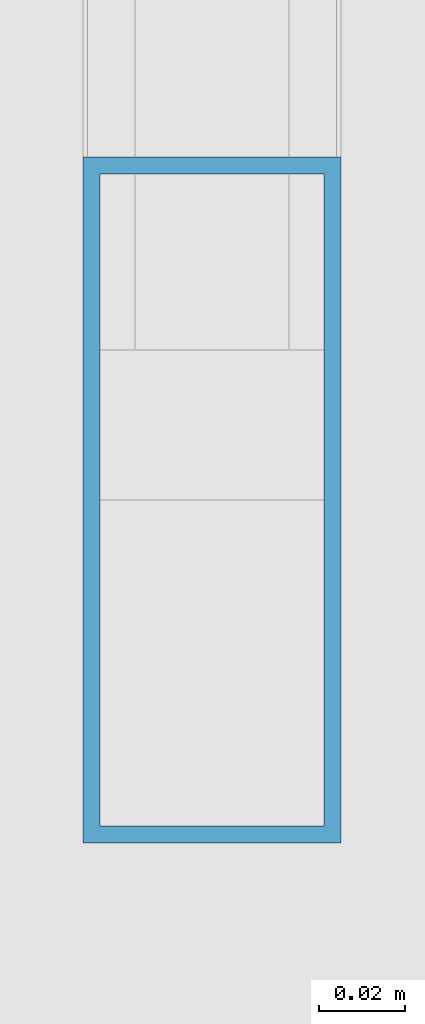
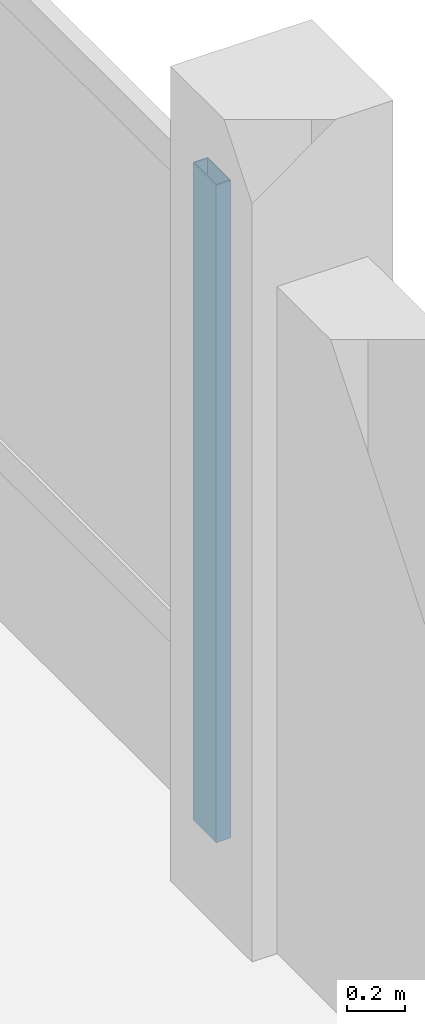
# One storey, part 7 of 84: 1 member, 1 element without a shape of its own.
"""IFC4 building model written with IfcOpenShell, lengths in metres."""

from ifc_helpers import new_model, si_unit, direction, frame, origin, origin_2d, place, context, subcontext, project, spatial, hollow_rectangle, extrude, material, material_profile, profile_set, type_object, element, aggregate, save


model = new_model("IFC4")

# Units and contexts
model_context = context("Model", 3, precision=1e-05, world=origin(), true_north=direction((0.0, 1.0)))
body_context = subcontext(model_context, "Body", "Model", "MODEL_VIEW")
ifc_project = project(units=[si_unit("LENGTHUNIT", "METRE"), si_unit("AREAUNIT", "SQUARE_METRE"), si_unit("VOLUMEUNIT", "CUBIC_METRE"), si_unit("PLANEANGLEUNIT", "RADIAN"), si_unit("MASSUNIT", "GRAM", prefix="KILO")], contexts=[model_context])

# Site, building, storey
site_placement = place(None, origin())
site = spatial("IfcSite", under=ifc_project, at=site_placement, CompositionType="ELEMENT")
building_placement = place(site_placement, origin())
building = spatial("IfcBuilding", under=site, at=building_placement, Name="Zornivar Specialist Clinic", CompositionType="ELEMENT")
storey_placement = place(building_placement, frame((0.0, 0.0, 12.300048828125)))
storey = spatial("IfcBuildingStorey", under=building, at=storey_placement, Name="L03", CompositionType="ELEMENT", Elevation=12.300048828125)

# Curtain wall, member
ifc_material_1 = material(Name="Aluminium and Low-E Glass Curtain Wall", Category="aluminium")
curtain_wall_type = type_object("IfcCurtainWallType", Name="CW-REVAK-COURT", PredefinedType="NOTDEFINED", material=ifc_material_1)
curtain_wall_placement = place(storey_placement, origin())
curtain_wall = element("IfcCurtainWall", 1, at=curtain_wall_placement, inside=storey, type_object=curtain_wall_type, Name="cw:V2:L03:14", PredefinedType="NOTDEFINED")
ifc_material_2 = material(Name="Aluminium AW-6060", Category="aluminium")
ifc_material_profile = material_profile(ifc_material_2, hollow_rectangle(XDim=0.06005859375, YDim=0.159912109375, WallThickness=0.00390625, at=origin_2d()), Name="ALU 60x160x4")
ifc_profile_set = profile_set([ifc_material_profile], Name="Aluminium AW-6060")
member_type = type_object("IfcMemberType", Name="CWM-MUL-160", PredefinedType="MULLION", material=ifc_profile_set)
member_placement = place(storey_placement, frame((14.39990234375, 29.280029296875, 0.0), z_axis=(0.0, 0.0, 1.0), x_axis=(1.0, 0.0, 0.0)))
member = element("IfcMember", 2, at=member_placement, type_object=member_type, Name="cw:V2:L03:14:mul:0", PredefinedType="MULLION", context=body_context, shape_type="SweptSolid", body=[
    extrude(hollow_rectangle(XDim=0.06005859375, YDim=0.159912109375, WallThickness=0.00390625, at=origin_2d()), origin(), (0.0, 0.0, 1.0), 2.760009765625),
])
aggregate(curtain_wall, [member])

save(model, "model.ifc")
